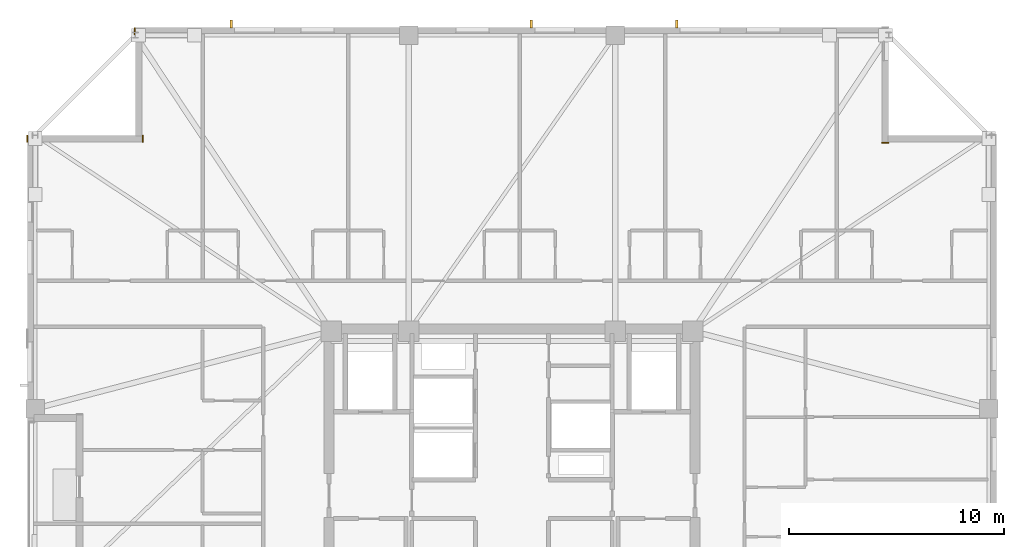
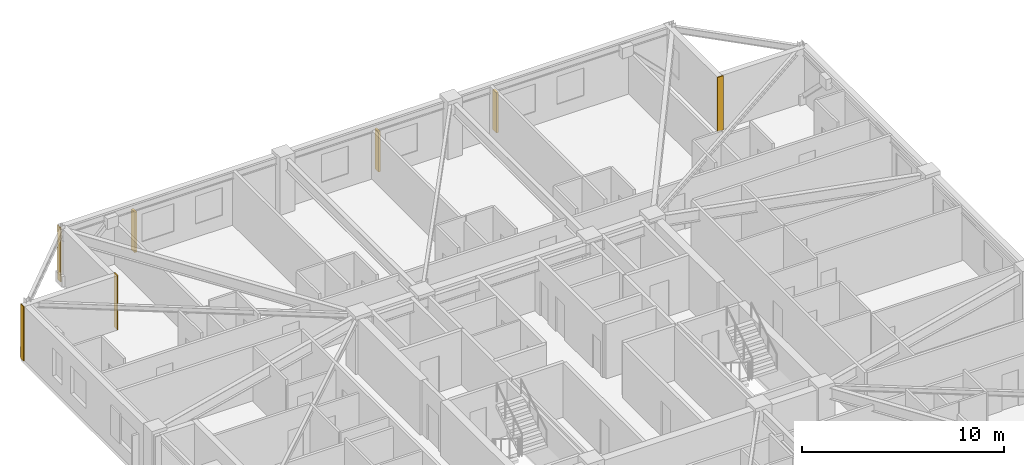
# One storey, part 16 of 17: 4 coverings, 3 shading devices.
"""IFC4 building model written with IfcOpenShell, lengths in metres."""

from ifc_helpers import new_model, si_unit, direction, frame, frame_2d, origin, origin_2d, place, context, subcontext, project, spatial, rectangle, extrude, material, layer, layer_set, type_object, element, save


model = new_model("IFC4")

# Units and contexts
model_context = context("Model", 3, precision=1e-05, world=origin(), true_north=direction((0.0, 1.0)))
body_context = subcontext(model_context, "Body", "Model", "MODEL_VIEW")
ifc_project = project(units=[si_unit("LENGTHUNIT", "METRE"), si_unit("AREAUNIT", "SQUARE_METRE"), si_unit("VOLUMEUNIT", "CUBIC_METRE"), si_unit("PLANEANGLEUNIT", "RADIAN"), si_unit("MASSUNIT", "GRAM", prefix="KILO")], contexts=[model_context])

# Site, building, storey
site_placement = place(None, origin())
site = spatial("IfcSite", under=ifc_project, at=site_placement, CompositionType="ELEMENT")
building_placement = place(site_placement, origin())
building = spatial("IfcBuilding", under=site, at=building_placement, Name="Cairnveth Concourse Tower", CompositionType="ELEMENT")
storey_placement = place(building_placement, frame((0.0, 0.0, 244.5)))
storey = spatial("IfcBuildingStorey", under=building, at=storey_placement, Name="L67", CompositionType="ELEMENT", Elevation=244.5)

# Coverings
ifc_material_1 = material(Name="Dressed Melbourne Bluestone Cladding", Category="masonry")
ifc_layer = layer(ifc_material_1, 0.050048828125)
ifc_layer_set = layer_set([ifc_layer], Name="Dressed Melbourne Bluestone Cladding")
covering_type = type_object("IfcCoveringType", Name="DRESSED BLUESTONE PLINTH CLADDING 50", PredefinedType="CLADDING", material=ifc_layer_set)
for number, where, z_axis, x_axis, name in (
    (1, (29.47998046875, 56.179931640625, 0.0), (0.0, 0.0, 1.0), (0.0, 1.0, 0.0), "Melbourne Bluestone Corner Quoin L67-1008"),
    (2, (34.840087890625, 56.179931640625, 0.0), (0.0, 0.0, 1.0), (0.0, 1.0, 0.0), "Melbourne Bluestone Corner Quoin L67-1009"),
    (3, (34.47998046875, 61.179931640625, 0.0), (0.0, 0.0, 1.0), (0.0, 1.0, 0.0), "Melbourne Bluestone Corner Quoin L67-1010"),
    (4, (69.179931640625, 56.159912109375, 0.0), (0.0, 0.0, 1.0), (1.0, 0.0, 0.0), "Melbourne Bluestone Corner Quoin L67-1012"),
):
    element("IfcCovering", number, at=place(storey_placement, frame(where, z_axis=z_axis, x_axis=x_axis)), inside=storey, type_object=covering_type, Name=name, PredefinedType="CLADDING", context=body_context, shape_type="SweptSolid", body=[
        extrude(rectangle(XDim=0.320068359375, YDim=0.050048828125, at=frame_2d((0.16015625, 0.0))), origin(), (0.0, 0.0, 1.0), 3.2900390625),
    ])

# Shading devices
ifc_material_2 = material(Name="Architectural Bronze Anodised Aluminium 6063-T6", Category="aluminium")
shading_device_type = type_object("IfcShadingDeviceType", Name="GOTHIC BRONZE VERTICAL LANCET FIN", PredefinedType="USERDEFINED", material=ifc_material_2)
for number, where, z_axis, x_axis, name in (
    (5, (38.95263671875, 61.675048828125, 0.030029296875), (0.0, 0.0, 1.0), (1.0, 0.0, 0.0), "Gothic Bronze Vertical Fin L67-3-1"),
    (6, (52.903564453125, 61.675048828125, 0.030029296875), (0.0, 0.0, 1.0), (1.0, 0.0, 0.0), "Gothic Bronze Vertical Fin L67-3-5"),
    (7, (59.654052734375, 61.675048828125, 0.030029296875), (0.0, 0.0, 1.0), (1.0, 0.0, 0.0), "Gothic Bronze Vertical Fin L67-3-7"),
):
    element("IfcShadingDevice", number, at=place(storey_placement, frame(where, z_axis=z_axis, x_axis=x_axis)), inside=storey, type_object=shading_device_type, Name=name, ObjectType="VERTICAL FIN", PredefinedType="USERDEFINED", context=body_context, shape_type="SweptSolid", body=[
        extrude(rectangle(XDim=0.1201171875, YDim=0.360107421875, at=origin_2d()), origin(), (0.0, 0.0, 1.0), 2.43798828125),
    ])

save(model, "model.ifc")
